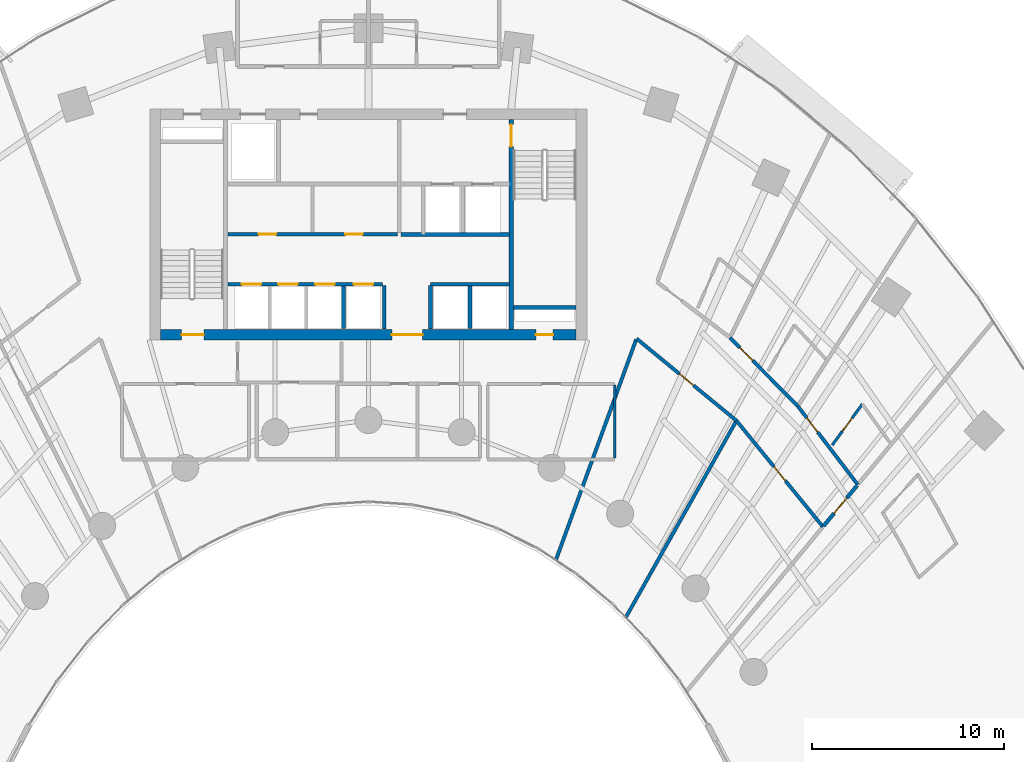
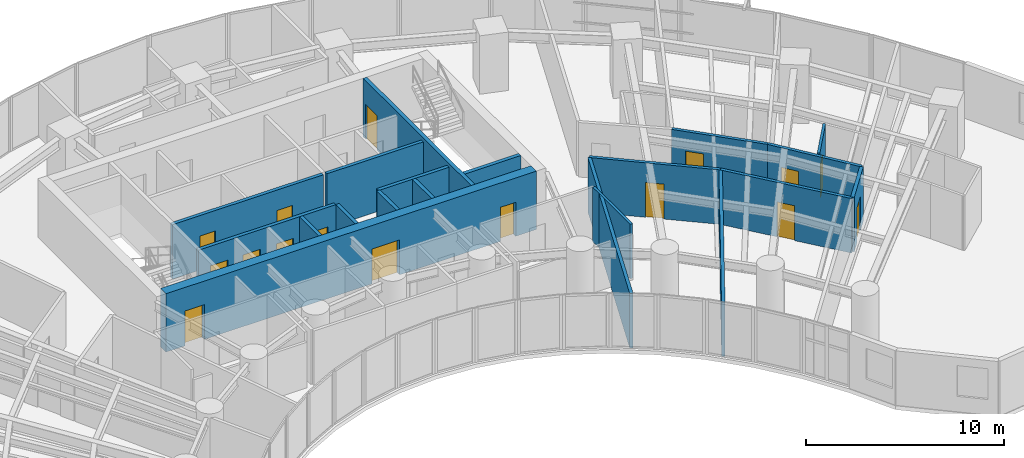
# One storey, part 12 of 17: 20 walls, 16 doors, 16 openings.
"""IFC4 building model written with IfcOpenShell, lengths in metres."""

from ifc_helpers import new_model, si_unit, direction, frame, frame_2d, origin, place, context, subcontext, project, spatial, rectangle, extrude, source, transform, mapped, material, layer, layer_set, type_object, type_shapes, element, fill, save


model = new_model("IFC4")

# Units and contexts
model_context = context("Model", 3, precision=1e-05, world=origin(), true_north=direction((0.0, 1.0)))
body_context = subcontext(model_context, "Body", "Model", "MODEL_VIEW")
ifc_project = project(units=[si_unit("LENGTHUNIT", "METRE"), si_unit("AREAUNIT", "SQUARE_METRE"), si_unit("VOLUMEUNIT", "CUBIC_METRE"), si_unit("PLANEANGLEUNIT", "RADIAN"), si_unit("MASSUNIT", "GRAM", prefix="KILO")], contexts=[model_context])

# Site, building, storey
site_placement = place(None, origin())
site = spatial("IfcSite", under=ifc_project, at=site_placement, CompositionType="ELEMENT")
building_placement = place(site_placement, origin())
building = spatial("IfcBuilding", under=site, at=building_placement, Name="Breltana Convention Tower", CompositionType="ELEMENT")
storey_placement = place(building_placement, frame((0.0, 0.0, 60.60009765625)))
storey = spatial("IfcBuildingStorey", under=building, at=storey_placement, Name="L13", CompositionType="ELEMENT", Elevation=60.60009765625)

# Wall, openings, doors
ifc_material_1 = material(Name="Concrete C60/75", Category="concrete")
ifc_layer_1 = layer(ifc_material_1, 0.550048828125, Name="Concrete C60/75")
ifc_layer_set_1 = layer_set([ifc_layer_1], Name="Concrete C60/75")
wall_type_1 = type_object("IfcWallType", Name="SW-CORE-550", PredefinedType="SHEAR", material=ifc_layer_set_1)
shared_shape_1 = source(origin(), body_context, "Body", "SweptSolid", [
    extrude(rectangle(XDim=21.60009765625, YDim=0.550048828125, at=frame_2d((10.800048828125, 0.0))), origin(), (0.0, 0.0, 1.0), 3.599853515625),
])
wall_1_placement = place(storey_placement, frame((37.199951171875, 60.47509765625, 0.0), z_axis=(0.0, 0.0, 1.0), x_axis=(1.0, 0.0, 0.0)))
wall_1 = element("IfcWall", 1, at=wall_1_placement, inside=storey, type_object=wall_type_1, Name="L13 South Core Shear Wall", PredefinedType="SHEAR", context=body_context, shape_type="MappedRepresentation", body=[
    mapped(shared_shape_1, transform((0.0, 0.0, 0.0), scale=1.0)),
])
opening_1_placement = place(wall_1_placement, frame((1.10009765625, 0.0, 0.0)))
opening_1 = element("IfcOpeningElement", 2, at=opening_1_placement, cuts=wall_1, Name="Opening D-11", PredefinedType="OPENING", context=body_context, shape_type="SweptSolid", body=[
    extrude(rectangle(XDim=1.14990234375, YDim=2.14990234375, at=frame_2d((0.574951171875, 1.074951171875))), frame((0.0, 0.28515625, 0.0), z_axis=(0.0, -1.0, 0.0), x_axis=(1.0, 0.0, 0.0)), (0.0, 0.0, 1.0), 0.570068359375),
])
opening_2_placement = place(wall_1_placement, frame((19.5, 0.0, 0.0)))
opening_2 = element("IfcOpeningElement", 3, at=opening_2_placement, cuts=wall_1, Name="Opening D-18", PredefinedType="OPENING", context=body_context, shape_type="SweptSolid", body=[
    extrude(rectangle(XDim=0.89990234375, YDim=2.10009765625, at=frame_2d((0.449951171875, 1.050048828125))), frame((0.0, 0.28515625, 0.0), z_axis=(0.0, -1.0, 0.0), x_axis=(1.0, 0.0, 0.0)), (0.0, 0.0, 1.0), 0.570068359375),
])
opening_3_placement = place(wall_1_placement, frame((12.02001953125, 0.0, 0.0)))
opening_3 = element("IfcOpeningElement", 4, at=opening_3_placement, cuts=wall_1, Name="Opening D-02", PredefinedType="OPENING", context=body_context, shape_type="SweptSolid", body=[
    extrude(rectangle(XDim=1.60009765625, YDim=2.14990234375, at=frame_2d((0.800048828125, 1.074951171875))), frame((0.0, 0.28515625, 0.0), z_axis=(0.0, -1.0, 0.0), x_axis=(1.0, 0.0, 0.0)), (0.0, 0.0, 1.0), 0.570068359375),
])
ifc_material_2 = material(Name="Steel Stair Exit Door", Category="steel")
door_type_1 = type_object("IfcDoorType", Name="DR-FD120-1150", OperationType="NOTDEFINED", PredefinedType="DOOR", material=ifc_material_2)
shared_shape_2 = source(origin(), body_context, "Body", "SweptSolid", [
    extrude(rectangle(XDim=1.14990234375, YDim=2.14990234375, at=frame_2d((0.574951171875, 1.074951171875))), frame((0.0, 0.02490234375, 0.0), z_axis=(0.0, -1.0, 0.0), x_axis=(1.0, 0.0, 0.0)), (0.0, 0.0, 1.0), 0.050048828125),
])
type_shapes(door_type_1, [shared_shape_2])
door_1_placement = place(opening_1_placement, origin())
door_1 = element("IfcDoor", 5, at=door_1_placement, inside=storey, type_object=door_type_1, Name="L13 interior door D-L13-ST1", OperationType="SINGLE_SWING_LEFT", OverallHeight=2.14990234375, OverallWidth=1.14990234375, PredefinedType="DOOR", context=body_context, shape_type="MappedRepresentation", body=[
    mapped(shared_shape_2, transform((0.0, 0.0, 0.0), scale=1.0)),
])
fill(opening_1, door_1)
ifc_material_3 = material(Name="Steel Riser Fire Door", Category="steel")
door_type_2 = type_object("IfcDoorType", Name="DR-FD60-900", OperationType="NOTDEFINED", PredefinedType="DOOR", material=ifc_material_3)
shared_shape_3 = source(origin(), body_context, "Body", "SweptSolid", [
    extrude(rectangle(XDim=0.89990234375, YDim=2.10009765625, at=frame_2d((0.449951171875, 1.050048828125))), frame((0.0, 0.02490234375, 0.0), z_axis=(0.0, -1.0, 0.0), x_axis=(1.0, 0.0, 0.0)), (0.0, 0.0, 1.0), 0.050048828125),
])
type_shapes(door_type_2, [shared_shape_3])
door_2_placement = place(opening_2_placement, origin())
door_2 = element("IfcDoor", 6, at=door_2_placement, inside=storey, type_object=door_type_2, Name="L13 Core Riser Access Door D-L13-RS2", OperationType="SINGLE_SWING_RIGHT", OverallHeight=2.10009765625, OverallWidth=0.89990234375, PredefinedType="DOOR", context=body_context, shape_type="MappedRepresentation", body=[
    mapped(shared_shape_3, transform((0.0, 0.0, 0.0), scale=1.0)),
])
fill(opening_2, door_2)
ifc_material_4 = material(Name="Steel Glazed Smoke-Control Door", Category="steel")
door_type_3 = type_object("IfcDoorType", Name="DR-DBL-FD90-1600", OperationType="DOUBLE_DOOR_SINGLE_SWING", PredefinedType="DOOR", material=ifc_material_4)
shared_shape_4 = source(origin(), body_context, "Body", "SweptSolid", [
    extrude(rectangle(XDim=1.60009765625, YDim=2.14990234375, at=frame_2d((0.800048828125, 1.074951171875))), frame((0.0, 0.02490234375, 0.0), z_axis=(0.0, -1.0, 0.0), x_axis=(1.0, 0.0, 0.0)), (0.0, 0.0, 1.0), 0.050048828125),
])
type_shapes(door_type_3, [shared_shape_4])
door_3_placement = place(opening_3_placement, origin())
door_3 = element("IfcDoor", 7, at=door_3_placement, inside=storey, type_object=door_type_3, Name="L13 interior door D-L13-LLB-S", OperationType="DOUBLE_DOOR_SINGLE_SWING", OverallHeight=2.14990234375, OverallWidth=1.60009765625, PredefinedType="DOOR", context=body_context, shape_type="MappedRepresentation", body=[
    mapped(shared_shape_4, transform((0.0, 0.0, 0.0), scale=1.0)),
])
fill(opening_3, door_3)

# Wall
ifc_material_5 = material(Name="Concrete C50/60", Category="concrete")
ifc_layer_2 = layer(ifc_material_5, 0.39990234375, Name="Concrete C50/60")
ifc_layer_set_2 = layer_set([ifc_layer_2], Name="Concrete C50/60")
wall_type_2 = type_object("IfcWallType", Name="SW-CORE-400", PredefinedType="SHEAR", material=ifc_layer_set_2)
shared_shape_5 = source(origin(), body_context, "Body", "SweptSolid", [
    extrude(rectangle(XDim=3.27001953125, YDim=0.219970703125, at=frame_2d((1.635009765625, 0.0))), origin(), (0.0, 0.0, 1.0), 3.599853515625),
])
wall_2_placement = place(storey_placement, frame((55.530029296875, 61.889892578125, 0.0), z_axis=(0.0, 0.0, 1.0), x_axis=(1.0, 0.0, 0.0)))
element("IfcWall", 8, at=wall_2_placement, inside=storey, type_object=wall_type_2, Name="L13 ST-2 Stairwell South Bearing Wall", PredefinedType="SHEAR", context=body_context, shape_type="MappedRepresentation", body=[
    mapped(shared_shape_5, transform((0.0, 0.0, 0.0), scale=1.0)),
])

# Wall, opening, door
shared_shape_6 = source(origin(), body_context, "Body", "SweptSolid", [
    extrude(rectangle(XDim=10.89990234375, YDim=0.219970703125, at=frame_2d((5.449951171875, 0.0))), origin(), (0.0, 0.0, 1.0), 3.599853515625),
])
wall_3_placement = place(storey_placement, frame((55.419921875, 60.75, 0.0), z_axis=(0.0, 0.0, 1.0), x_axis=(0.0, 1.0, 0.0)))
wall_3 = element("IfcWall", 9, at=wall_3_placement, inside=storey, type_object=wall_type_2, Name="L13 Core East Stair Spine Wall", PredefinedType="SHEAR", context=body_context, shape_type="MappedRepresentation", body=[
    mapped(shared_shape_6, transform((0.0, 0.0, 0.0), scale=1.0)),
])
opening_4_placement = place(wall_3_placement, frame((9.4951171875, 0.0, 0.0)))
opening_4 = element("IfcOpeningElement", 10, at=opening_4_placement, cuts=wall_3, Name="Opening D-11", PredefinedType="OPENING", context=body_context, shape_type="SweptSolid", body=[
    extrude(rectangle(XDim=1.14990234375, YDim=2.14990234375, at=frame_2d((0.574951171875, 1.074951171875))), frame((0.0, 0.1201171875, 0.0), z_axis=(0.0, -1.0, 0.0), x_axis=(1.0, 0.0, 0.0)), (0.0, 0.0, 1.0), 0.239990234375),
])
door_4_placement = place(opening_4_placement, origin())
door_4 = element("IfcDoor", 11, at=door_4_placement, inside=storey, type_object=door_type_1, Name="L13 interior door D-L13-ST2", OperationType="SINGLE_SWING_LEFT", OverallHeight=2.14990234375, OverallWidth=1.14990234375, PredefinedType="DOOR", context=body_context, shape_type="MappedRepresentation", body=[
    mapped(shared_shape_2, transform((0.0, 0.0, 0.0), scale=1.0)),
])
fill(opening_4, door_4)

# Walls
ifc_material_6 = material(Name="Autoclaved Aerated Concrete Block", Category="concrete")
ifc_layer_3 = layer(ifc_material_6, 0.199951171875, Name="Autoclaved Aerated Concrete Block")
ifc_layer_set_3 = layer_set([ifc_layer_3], Name="Autoclaved Aerated Concrete Block")
wall_type_3 = type_object("IfcWallType", Name="WL-SHAFT-200", PredefinedType="SOLIDWALL", material=ifc_layer_set_3)
shared_shape_7 = source(origin(), body_context, "Body", "SweptSolid", [
    extrude(rectangle(XDim=2.239990234375, YDim=0.199951171875, at=frame_2d((1.1201171875, 0.0))), origin(), (0.0, 0.0, 1.0), 3.35986328125),
])
for number, where, z_axis, x_axis, name in (
    (12, (48.820068359375, 60.780029296875, 0.0), (0.0, 0.0, 1.0), (0.0, 1.0, 0.0), "L13 interior partition W-L13-PORT-W"),
    (13, (51.219970703125, 60.780029296875, 0.0), (0.0, 0.0, 1.0), (0.0, 1.0, 0.0), "L13 interior partition W-L13-PORT-E"),
):
    element("IfcWall", number, at=place(storey_placement, frame(where, z_axis=z_axis, x_axis=x_axis)), inside=storey, type_object=wall_type_3, Name=name, PredefinedType="SOLIDWALL", context=body_context, shape_type="MappedRepresentation", body=[
        mapped(shared_shape_7, transform((0.0, 0.0, 0.0), scale=1.0)),
    ])
shared_shape_8 = source(origin(), body_context, "Body", "SweptSolid", [
    extrude(rectangle(XDim=5.6201171875, YDim=0.199951171875, at=frame_2d((2.81005859375, 0.0))), origin(), (0.0, 0.0, 1.0), 3.35986328125),
])
wall_4_placement = place(storey_placement, frame((49.699951171875, 65.679931640625, 0.0), z_axis=(0.0, 0.0, 1.0), x_axis=(1.0, 0.0, 0.0)))
element("IfcWall", 14, at=wall_4_placement, inside=storey, type_object=wall_type_3, Name="L13 interior partition W-L13-FL-S", PredefinedType="SOLIDWALL", context=body_context, shape_type="MappedRepresentation", body=[
    mapped(shared_shape_8, transform((0.0, 0.0, 0.0), scale=1.0)),
])

# Wall, openings, doors
shared_shape_9 = source(origin(), body_context, "Body", "SweptSolid", [
    extrude(rectangle(XDim=8.800048828125, YDim=0.199951171875, at=frame_2d((4.39990234375, 0.0))), origin(), (0.0, 0.0, 1.0), 3.35986328125),
])
wall_5_placement = place(storey_placement, frame((40.699951171875, 65.699951171875, 0.0), z_axis=(0.0, 0.0, 1.0), x_axis=(1.0, 0.0, 0.0)))
wall_5 = element("IfcWall", 15, at=wall_5_placement, inside=storey, type_object=wall_type_3, Name="L13 interior partition W-L13-SH-M-FRONT", PredefinedType="SOLIDWALL", context=body_context, shape_type="MappedRepresentation", body=[
    mapped(shared_shape_9, transform((0.0, 0.0, 0.0), scale=1.0)),
])
opening_5_placement = place(wall_5_placement, frame((1.60009765625, 0.0, 0.0)))
opening_5 = element("IfcOpeningElement", 16, at=opening_5_placement, cuts=wall_5, Name="Opening D-18", PredefinedType="OPENING", context=body_context, shape_type="SweptSolid", body=[
    extrude(rectangle(XDim=0.89990234375, YDim=2.10009765625, at=frame_2d((0.449951171875, 1.050048828125))), frame((0.0, 0.10986328125, 0.0), z_axis=(0.0, -1.0, 0.0), x_axis=(1.0, 0.0, 0.0)), (0.0, 0.0, 1.0), 0.219970703125),
])
opening_6_placement = place(wall_5_placement, frame((6.10009765625, 0.0, 0.0)))
opening_6 = element("IfcOpeningElement", 17, at=opening_6_placement, cuts=wall_5, Name="Opening D-18", PredefinedType="OPENING", context=body_context, shape_type="SweptSolid", body=[
    extrude(rectangle(XDim=0.89990234375, YDim=2.10009765625, at=frame_2d((0.449951171875, 1.050048828125))), frame((0.0, 0.10986328125, 0.0), z_axis=(0.0, -1.0, 0.0), x_axis=(1.0, 0.0, 0.0)), (0.0, 0.0, 1.0), 0.219970703125),
])
door_5_placement = place(opening_5_placement, origin())
door_5 = element("IfcDoor", 18, at=door_5_placement, inside=storey, type_object=door_type_2, Name="L13 interior door D-L13-LV7-B2A", OperationType="SINGLE_SWING_RIGHT", OverallHeight=2.10009765625, OverallWidth=0.89990234375, PredefinedType="DOOR", context=body_context, shape_type="MappedRepresentation", body=[
    mapped(shared_shape_3, transform((0.0, 0.0, 0.0), scale=1.0)),
])
fill(opening_5, door_5)
door_6_placement = place(opening_6_placement, origin())
door_6 = element("IfcDoor", 19, at=door_6_placement, inside=storey, type_object=door_type_2, Name="L13 interior door D-L13-LV7-B2B", OperationType="SINGLE_SWING_LEFT", OverallHeight=2.10009765625, OverallWidth=0.89990234375, PredefinedType="DOOR", context=body_context, shape_type="MappedRepresentation", body=[
    mapped(shared_shape_3, transform((0.0, 0.0, 0.0), scale=1.0)),
])
fill(opening_6, door_6)

shared_shape_10 = source(origin(), body_context, "Body", "SweptSolid", [
    extrude(rectangle(XDim=8.02001953125, YDim=0.199951171875, at=frame_2d((4.010009765625, 0.0))), origin(), (0.0, 0.0, 1.0), 3.35986328125),
])
wall_6_placement = place(storey_placement, frame((40.699951171875, 63.10009765625, 0.0), z_axis=(0.0, 0.0, 1.0), x_axis=(1.0, 0.0, 0.0)))
wall_6 = element("IfcWall", 20, at=wall_6_placement, inside=storey, type_object=wall_type_3, Name="L13 interior partition W-L13-SH-S-FRONT", PredefinedType="SOLIDWALL", context=body_context, shape_type="MappedRepresentation", body=[
    mapped(shared_shape_10, transform((0.0, 0.0, 0.0), scale=1.0)),
])
opening_7_placement = place(wall_6_placement, frame((0.719970703125, 0.0, 0.0)))
opening_7 = element("IfcOpeningElement", 21, at=opening_7_placement, cuts=wall_6, Name="Opening LD-04", PredefinedType="OPENING", context=body_context, shape_type="SweptSolid", body=[
    extrude(rectangle(XDim=1.0, YDim=2.14990234375, at=frame_2d((0.5, 1.074951171875))), frame((0.0, 0.10986328125, 0.0), z_axis=(0.0, -1.0, 0.0), x_axis=(1.0, 0.0, 0.0)), (0.0, 0.0, 1.0), 0.219970703125),
])
opening_8_placement = place(wall_6_placement, frame((2.6201171875, 0.0, 0.0)))
opening_8 = element("IfcOpeningElement", 22, at=opening_8_placement, cuts=wall_6, Name="Opening LD-04", PredefinedType="OPENING", context=body_context, shape_type="SweptSolid", body=[
    extrude(rectangle(XDim=1.0, YDim=2.14990234375, at=frame_2d((0.5, 1.074951171875))), frame((0.0, 0.10986328125, 0.0), z_axis=(0.0, -1.0, 0.0), x_axis=(1.0, 0.0, 0.0)), (0.0, 0.0, 1.0), 0.219970703125),
])
opening_9_placement = place(wall_6_placement, frame((4.550048828125, 0.0, 0.0)))
opening_9 = element("IfcOpeningElement", 23, at=opening_9_placement, cuts=wall_6, Name="Opening LD-04", PredefinedType="OPENING", context=body_context, shape_type="SweptSolid", body=[
    extrude(rectangle(XDim=1.0, YDim=2.14990234375, at=frame_2d((0.5, 1.074951171875))), frame((0.0, 0.10986328125, 0.0), z_axis=(0.0, -1.0, 0.0), x_axis=(1.0, 0.0, 0.0)), (0.0, 0.0, 1.0), 0.219970703125),
])
opening_10_placement = place(wall_6_placement, frame((6.550048828125, 0.0, 0.0)))
opening_10 = element("IfcOpeningElement", 24, at=opening_10_placement, cuts=wall_6, Name="Opening LD-04", PredefinedType="OPENING", context=body_context, shape_type="SweptSolid", body=[
    extrude(rectangle(XDim=1.0, YDim=2.14990234375, at=frame_2d((0.5, 1.074951171875))), frame((0.0, 0.10986328125, 0.0), z_axis=(0.0, -1.0, 0.0), x_axis=(1.0, 0.0, 0.0)), (0.0, 0.0, 1.0), 0.219970703125),
])
ifc_material_7 = material(Name="Stainless Steel Brushed", Category="steel")
door_type_4 = type_object("IfcDoorType", Name="DR-LD-PAX-1000", OperationType="DOUBLE_DOOR_SLIDING", PredefinedType="DOOR", material=ifc_material_7)
shared_shape_11 = source(origin(), body_context, "Body", "SweptSolid", [
    extrude(rectangle(XDim=1.0, YDim=2.14990234375, at=frame_2d((0.5, 1.074951171875))), frame((0.0, 0.02490234375, 0.0), z_axis=(0.0, -1.0, 0.0), x_axis=(1.0, 0.0, 0.0)), (0.0, 0.0, 1.0), 0.050048828125),
])
type_shapes(door_type_4, [shared_shape_11])
door_7_placement = place(opening_7_placement, origin())
door_7 = element("IfcDoor", 25, at=door_7_placement, inside=storey, type_object=door_type_4, Name="L13 Lift Landing Door D-L13-LD-S1", OperationType="DOUBLE_DOOR_SLIDING", OverallHeight=2.14990234375, OverallWidth=1.0, PredefinedType="DOOR", context=body_context, shape_type="MappedRepresentation", body=[
    mapped(shared_shape_11, transform((0.0, 0.0, 0.0), scale=1.0)),
])
fill(opening_7, door_7)
door_8_placement = place(opening_8_placement, origin())
door_8 = element("IfcDoor", 26, at=door_8_placement, inside=storey, type_object=door_type_4, Name="L13 Lift Landing Door D-L13-LD-S2", OperationType="DOUBLE_DOOR_SLIDING", OverallHeight=2.14990234375, OverallWidth=1.0, PredefinedType="DOOR", context=body_context, shape_type="MappedRepresentation", body=[
    mapped(shared_shape_11, transform((0.0, 0.0, 0.0), scale=1.0)),
])
fill(opening_8, door_8)
door_9_placement = place(opening_9_placement, origin())
door_9 = element("IfcDoor", 27, at=door_9_placement, inside=storey, type_object=door_type_4, Name="L13 Lift Landing Door D-L13-LD-S3", OperationType="DOUBLE_DOOR_SLIDING", OverallHeight=2.14990234375, OverallWidth=1.0, PredefinedType="DOOR", context=body_context, shape_type="MappedRepresentation", body=[
    mapped(shared_shape_11, transform((0.0, 0.0, 0.0), scale=1.0)),
])
fill(opening_9, door_9)
door_10_placement = place(opening_10_placement, origin())
door_10 = element("IfcDoor", 28, at=door_10_placement, inside=storey, type_object=door_type_4, Name="L13 Lift Landing Door D-L13-LD-S4", OperationType="DOUBLE_DOOR_SLIDING", OverallHeight=2.14990234375, OverallWidth=1.0, PredefinedType="DOOR", context=body_context, shape_type="MappedRepresentation", body=[
    mapped(shared_shape_11, transform((0.0, 0.0, 0.0), scale=1.0)),
])
fill(opening_10, door_10)

# Walls
shared_shape_12 = source(origin(), body_context, "Body", "SweptSolid", [
    extrude(rectangle(XDim=4.10009765625, YDim=0.199951171875, at=frame_2d((2.050048828125, 0.0))), origin(), (0.0, 0.0, 1.0), 3.35986328125),
])
wall_7_placement = place(storey_placement, frame((51.219970703125, 63.10009765625, 0.0), z_axis=(0.0, 0.0, 1.0), x_axis=(1.0, 0.0, 0.0)))
element("IfcWall", 29, at=wall_7_placement, inside=storey, type_object=wall_type_3, Name="L13 interior partition W-L13-SH-X-FRONT", PredefinedType="SOLIDWALL", context=body_context, shape_type="MappedRepresentation", body=[
    mapped(shared_shape_12, transform((0.0, 0.0, 0.0), scale=1.0)),
])
shared_shape_13 = source(origin(), body_context, "Body", "SweptSolid", [
    extrude(rectangle(XDim=2.199951171875, YDim=0.199951171875, at=frame_2d((1.10009765625, 0.0))), origin(), (0.0, 0.0, 1.0), 3.35986328125),
])
for number, where, z_axis, x_axis, name in (
    (30, (46.699951171875, 60.800048828125, 0.0), (0.0, 0.0, 1.0), (0.0, 1.0, 0.0), "L13 interior partition W-L13-SH-S-DIV3"),
    (31, (53.280029296875, 60.800048828125, 0.0), (0.0, 0.0, 1.0), (0.0, 1.0, 0.0), "L13 interior partition W-L13-SH-X-DIV"),
):
    element("IfcWall", number, at=place(storey_placement, frame(where, z_axis=z_axis, x_axis=x_axis)), inside=storey, type_object=wall_type_3, Name=name, PredefinedType="SOLIDWALL", context=body_context, shape_type="MappedRepresentation", body=[
        mapped(shared_shape_13, transform((0.0, 0.0, 0.0), scale=1.0)),
    ])
ifc_material_8 = material(Name="Gypsum Acoustic Drywall Partition")
ifc_layer_4 = layer(ifc_material_8, 0.14990234375, Name="Gypsum Acoustic Drywall Partition")
ifc_layer_set_4 = layer_set([ifc_layer_4], Name="Gypsum Acoustic Drywall Partition")
wall_type_4 = type_object("IfcWallType", Name="WL-PART-150", PredefinedType="PARTITIONING", material=ifc_layer_set_4)
shared_shape_14 = source(origin(), body_context, "Body", "SweptSolid", [
    extrude(rectangle(XDim=3.78515625, YDim=0.14990234375, at=frame_2d((1.892578125, 0.0))), origin(), (0.0, 0.0, 1.0), 3.35986328125),
])
wall_8_placement = place(storey_placement, frame((60.800048828125, 54.0673828125, 0.0), z_axis=(0.0, 0.0, 1.0), x_axis=(0.0, 1.0, 0.0)))
element("IfcWall", 32, at=wall_8_placement, inside=storey, type_object=wall_type_4, Name="L13 interior partition W-L13-HMT-E", PredefinedType="PARTITIONING", context=body_context, shape_type="MappedRepresentation", body=[
    mapped(shared_shape_14, transform((0.0, 0.0, 0.0), scale=1.0)),
])

# Wall, opening, door
ifc_material_9 = material(Name="Gypsum Acoustic Hotel Wall")
ifc_layer_5 = layer(ifc_material_9, 0.195068359375, Name="Gypsum Acoustic Hotel Wall")
ifc_layer_set_5 = layer_set([ifc_layer_5], Name="Gypsum Acoustic Hotel Wall")
wall_type_5 = type_object("IfcWallType", Name="WL-HOTEL-200", PredefinedType="PARTITIONING", material=ifc_layer_set_5)
shared_shape_15 = source(origin(), body_context, "Body", "SweptSolid", [
    extrude(rectangle(XDim=2.748291015625, YDim=0.195068359375, at=frame_2d((1.3740234375, 0.0))), origin(), (0.0, 0.0, 1.0), 3.35986328125),
])
wall_9_placement = place(storey_placement, frame((71.64697265625, 50.531005859375, 0.0), z_axis=(0.0, 0.0, 1.0), x_axis=(0.638111168284, 0.769944242729, 0.0)))
wall_9 = element("IfcWall", 33, at=wall_9_placement, inside=storey, type_object=wall_type_5, Name="L13 interior partition W-L13-CS-E-END", PredefinedType="PARTITIONING", context=body_context, shape_type="MappedRepresentation", body=[
    mapped(shared_shape_15, transform((0.0, 0.0, 0.0), scale=1.0)),
])
opening_11_placement = place(wall_9_placement, frame((0.84912109375, 0.0, 0.0)))
opening_11 = element("IfcOpeningElement", 34, at=opening_11_placement, cuts=wall_9, Name="Opening D-13", PredefinedType="OPENING", context=body_context, shape_type="SweptSolid", body=[
    extrude(rectangle(XDim=1.050048828125, YDim=2.14990234375, at=frame_2d((0.52490234375, 1.074951171875))), frame((0.0, 0.107421875, 0.0), z_axis=(0.0, -1.0, 0.0), x_axis=(1.0, 0.0, 0.0)), (0.0, 0.0, 1.0), 0.215087890625),
])
ifc_material_10 = material(Name="Timber Solid-Core Fire Door", Category="wood")
door_type_5 = type_object("IfcDoorType", Name="DR-FD60-1050", OperationType="NOTDEFINED", PredefinedType="DOOR", material=ifc_material_10)
shared_shape_16 = source(origin(), body_context, "Body", "SweptSolid", [
    extrude(rectangle(XDim=1.050048828125, YDim=2.14990234375, at=frame_2d((0.52490234375, 1.074951171875))), frame((0.0, 0.02490234375, 0.0), z_axis=(0.0, -1.0, 0.0), x_axis=(1.0, 0.0, 0.0)), (0.0, 0.0, 1.0), 0.050048828125),
])
type_shapes(door_type_5, [shared_shape_16])
door_11_placement = place(opening_11_placement, origin())
door_11 = element("IfcDoor", 35, at=door_11_placement, inside=storey, type_object=door_type_5, Name="L13 interior door D-L13-CS-E", OperationType="SINGLE_SWING_LEFT", OverallHeight=2.14990234375, OverallWidth=1.050048828125, PredefinedType="DOOR", context=body_context, shape_type="MappedRepresentation", body=[
    mapped(shared_shape_16, transform((0.0, 0.0, 0.0), scale=1.0)),
])
fill(opening_11, door_11)

# Wall
ifc_material_11 = material(Name="Moisture-Resistant Gypsum Chase Wall")
ifc_layer_6 = layer(ifc_material_11, 0.179931640625, Name="Moisture-Resistant Gypsum Chase Wall")
ifc_layer_set_6 = layer_set([ifc_layer_6], Name="Moisture-Resistant Gypsum Chase Wall")
wall_type_6 = type_object("IfcWallType", Name="WL-PLUMB-180", PredefinedType="PLUMBINGWALL", material=ifc_layer_set_6)
shared_shape_17 = source(origin(), body_context, "Body", "SweptSolid", [
    extrude(rectangle(XDim=12.1962890625, YDim=0.179931640625, at=frame_2d((6.09814453125, 0.0))), origin(), (0.0, 0.0, 1.0), 3.35986328125),
])
wall_10_placement = place(storey_placement, frame((57.742431640625, 48.766357421875, 0.0), z_axis=(0.0, 0.0, 1.0), x_axis=(0.342022711534, 0.939691686031, 0.0)))
element("IfcWall", 36, at=wall_10_placement, inside=storey, type_object=wall_type_6, Name="L13 interior partition W-L13-HE04-RA", PredefinedType="PLUMBINGWALL", context=body_context, shape_type="MappedRepresentation", body=[
    mapped(shared_shape_17, transform((0.0, 0.0, 0.0), scale=1.0)),
])

# Wall, opening, door
shared_shape_18 = source(origin(), body_context, "Body", "SweptSolid", [
    extrude(rectangle(XDim=5.012451171875, YDim=0.179931640625, at=frame_2d((2.50634765625, 0.0))), origin(), (0.0, 0.0, 1.0), 3.35986328125),
])
wall_11_placement = place(storey_placement, frame((66.78759765625, 60.32568359375, 0.0), z_axis=(0.0, 0.0, 1.0), x_axis=(0.703664626435, -0.710532260707, 0.0)))
wall_11 = element("IfcWall", 37, at=wall_11_placement, inside=storey, type_object=wall_type_6, Name="L13 interior partition W-L13-HE02-COR", PredefinedType="PLUMBINGWALL", context=body_context, shape_type="MappedRepresentation", body=[
    mapped(shared_shape_18, transform((0.0, 0.0, 0.0), scale=1.0)),
])
opening_12_placement = place(wall_11_placement, frame((0.72802734375, 0.0, 0.0)))
opening_12 = element("IfcOpeningElement", 38, at=opening_12_placement, cuts=wall_11, Name="Opening D-14", PredefinedType="OPENING", context=body_context, shape_type="SweptSolid", body=[
    extrude(rectangle(XDim=0.949951171875, YDim=2.14990234375, at=frame_2d((0.47509765625, 1.074951171875))), frame((0.0, 0.10009765625, 0.0), z_axis=(0.0, -1.0, 0.0), x_axis=(1.0, 0.0, 0.0)), (0.0, 0.0, 1.0), 0.199951171875),
])
door_type_6 = type_object("IfcDoorType", Name="DR-FD60-950", OperationType="NOTDEFINED", PredefinedType="DOOR", material=ifc_material_10)
shared_shape_19 = source(origin(), body_context, "Body", "SweptSolid", [
    extrude(rectangle(XDim=0.949951171875, YDim=2.14990234375, at=frame_2d((0.47509765625, 1.074951171875))), frame((0.0, 0.02490234375, 0.0), z_axis=(0.0, -1.0, 0.0), x_axis=(1.0, 0.0, 0.0)), (0.0, 0.0, 1.0), 0.050048828125),
])
type_shapes(door_type_6, [shared_shape_19])
door_12_placement = place(opening_12_placement, origin())
door_12 = element("IfcDoor", 39, at=door_12_placement, inside=storey, type_object=door_type_6, Name="L13 interior door D-L13-HE02", OperationType="SINGLE_SWING_LEFT", OverallHeight=2.14990234375, OverallWidth=0.949951171875, PredefinedType="DOOR", context=body_context, shape_type="MappedRepresentation", body=[
    mapped(shared_shape_19, transform((0.0, 0.0, 0.0), scale=1.0)),
])
fill(opening_12, door_12)

shared_shape_20 = source(origin(), body_context, "Body", "SweptSolid", [
    extrude(rectangle(XDim=5.134765625, YDim=0.179931640625, at=frame_2d((2.5673828125, 0.0))), origin(), (0.0, 0.0, 1.0), 3.35986328125),
])
wall_12_placement = place(storey_placement, frame((70.314697265625, 56.76416015625, 0.0), z_axis=(0.0, 0.0, 1.0), x_axis=(0.606802199649, -0.794852873494, 0.0)))
wall_12 = element("IfcWall", 40, at=wall_12_placement, inside=storey, type_object=wall_type_6, Name="L13 interior partition W-L13-HE03-COR", PredefinedType="PLUMBINGWALL", context=body_context, shape_type="MappedRepresentation", body=[
    mapped(shared_shape_20, transform((0.0, 0.0, 0.0), scale=1.0)),
])
opening_13_placement = place(wall_12_placement, frame((0.75732421875, 0.0, 0.0)))
opening_13 = element("IfcOpeningElement", 41, at=opening_13_placement, cuts=wall_12, Name="Opening D-14", PredefinedType="OPENING", context=body_context, shape_type="SweptSolid", body=[
    extrude(rectangle(XDim=0.949951171875, YDim=2.14990234375, at=frame_2d((0.47509765625, 1.074951171875))), frame((0.0, 0.10009765625, 0.0), z_axis=(0.0, -1.0, 0.0), x_axis=(1.0, 0.0, 0.0)), (0.0, 0.0, 1.0), 0.199951171875),
])
door_13_placement = place(opening_13_placement, origin())
door_13 = element("IfcDoor", 42, at=door_13_placement, inside=storey, type_object=door_type_6, Name="L13 interior door D-L13-HE03", OperationType="SINGLE_SWING_LEFT", OverallHeight=2.14990234375, OverallWidth=0.949951171875, PredefinedType="DOOR", context=body_context, shape_type="MappedRepresentation", body=[
    mapped(shared_shape_19, transform((0.0, 0.0, 0.0), scale=1.0)),
])
fill(opening_13, door_13)

ifc_material_12 = material(Name="Moisture-Resistant En-Suite Partition")
ifc_layer_7 = layer(ifc_material_12, 0.139892578125, Name="Moisture-Resistant En-Suite Partition")
ifc_layer_set_7 = layer_set([ifc_layer_7], Name="Moisture-Resistant En-Suite Partition")
wall_type_7 = type_object("IfcWallType", Name="WL-WET-150", PredefinedType="PARTITIONING", material=ifc_layer_set_7)
shared_shape_21 = source(origin(), body_context, "Body", "SweptSolid", [
    extrude(rectangle(XDim=2.6416015625, YDim=0.139892578125, at=frame_2d((1.32080078125, 0.0))), origin(), (0.0, 0.0, 1.0), 3.35986328125),
])
wall_13_placement = place(storey_placement, frame((72.101318359375, 54.74072265625, 0.0), z_axis=(0.0, 0.0, 1.0), x_axis=(0.592789122423, 0.805357719487, 0.0)))
wall_13 = element("IfcWall", 43, at=wall_13_placement, inside=storey, type_object=wall_type_7, Name="L13 interior partition W-L13-HE03E-SD", PredefinedType="PARTITIONING", context=body_context, shape_type="MappedRepresentation", body=[
    mapped(shared_shape_21, transform((0.0, 0.0, 0.0), scale=1.0)),
])
opening_14_placement = place(wall_13_placement, frame((0.895751953125, 0.0, 0.0)))
opening_14 = element("IfcOpeningElement", 44, at=opening_14_placement, cuts=wall_13, Name="Opening D-21", PredefinedType="OPENING", context=body_context, shape_type="SweptSolid", body=[
    extrude(rectangle(XDim=0.85009765625, YDim=2.050048828125, at=frame_2d((0.425048828125, 1.02490234375))), frame((0.0, 0.080078125, 0.0), z_axis=(0.0, -1.0, 0.0), x_axis=(1.0, 0.0, 0.0)), (0.0, 0.0, 1.0), 0.159912109375),
])
ifc_material_13 = material(Name="Timber Moisture-Resistant En-Suite Door", Category="wood")
door_type_7 = type_object("IfcDoorType", Name="DR-WET-850", OperationType="NOTDEFINED", PredefinedType="DOOR", material=ifc_material_13)
shared_shape_22 = source(origin(), body_context, "Body", "SweptSolid", [
    extrude(rectangle(XDim=0.85009765625, YDim=2.050048828125, at=frame_2d((0.425048828125, 1.02490234375))), frame((0.0, 0.02490234375, 0.0), z_axis=(0.0, -1.0, 0.0), x_axis=(1.0, 0.0, 0.0)), (0.0, 0.0, 1.0), 0.050048828125),
])
type_shapes(door_type_7, [shared_shape_22])
door_14_placement = place(opening_14_placement, origin())
door_14 = element("IfcDoor", 45, at=door_14_placement, inside=storey, type_object=door_type_7, Name="L13 interior door D-L13-HE03E", OperationType="SINGLE_SWING_RIGHT", OverallHeight=2.050048828125, OverallWidth=0.85009765625, PredefinedType="DOOR", context=body_context, shape_type="MappedRepresentation", body=[
    mapped(shared_shape_22, transform((0.0, 0.0, 0.0), scale=1.0)),
])
fill(opening_14, door_14)

shared_shape_23 = source(origin(), body_context, "Body", "SweptSolid", [
    extrude(rectangle(XDim=6.72119140625, YDim=0.179931640625, at=frame_2d((3.360595703125, 0.0))), origin(), (0.0, 0.0, 1.0), 3.35986328125),
])
wall_14_placement = place(storey_placement, frame((61.931396484375, 60.275390625, 0.0), z_axis=(0.0, 0.0, 1.0), x_axis=(0.772828051199, -0.63461547671, 0.0)))
wall_14 = element("IfcWall", 46, at=wall_14_placement, inside=storey, type_object=wall_type_6, Name="L13 interior partition W-L13-HE04-COR", PredefinedType="PLUMBINGWALL", context=body_context, shape_type="MappedRepresentation", body=[
    mapped(shared_shape_23, transform((0.0, 0.0, 0.0), scale=1.0)),
])
opening_15_placement = place(wall_14_placement, frame((2.885498046875, 0.0, 0.0)))
opening_15 = element("IfcOpeningElement", 47, at=opening_15_placement, cuts=wall_14, Name="Opening D-14", PredefinedType="OPENING", context=body_context, shape_type="SweptSolid", body=[
    extrude(rectangle(XDim=0.949951171875, YDim=2.14990234375, at=frame_2d((0.47509765625, 1.074951171875))), frame((0.0, 0.10009765625, 0.0), z_axis=(0.0, -1.0, 0.0), x_axis=(1.0, 0.0, 0.0)), (0.0, 0.0, 1.0), 0.199951171875),
])
door_15_placement = place(opening_15_placement, origin())
door_15 = element("IfcDoor", 48, at=door_15_placement, inside=storey, type_object=door_type_6, Name="L13 interior door D-L13-HE04", OperationType="SINGLE_SWING_LEFT", OverallHeight=2.14990234375, OverallWidth=0.949951171875, PredefinedType="DOOR", context=body_context, shape_type="MappedRepresentation", body=[
    mapped(shared_shape_19, transform((0.0, 0.0, 0.0), scale=1.0)),
])
fill(opening_15, door_15)

# Wall
shared_shape_24 = source(origin(), body_context, "Body", "SweptSolid", [
    extrude(rectangle(XDim=11.670166015625, YDim=0.179931640625, at=frame_2d((5.8349609375, 0.0))), origin(), (0.0, 0.0, 1.0), 3.35986328125),
])
wall_15_placement = place(storey_placement, frame((61.38134765625, 45.795166015625, 0.0), z_axis=(0.0, 0.0, 1.0), x_axis=(0.490156946222, 0.871634193954, 0.0)))
element("IfcWall", 49, at=wall_15_placement, inside=storey, type_object=wall_type_6, Name="L13 interior partition W-L13-HE04-RB", PredefinedType="PLUMBINGWALL", context=body_context, shape_type="MappedRepresentation", body=[
    mapped(shared_shape_24, transform((0.0, 0.0, 0.0), scale=1.0)),
])

# Wall, opening, door
shared_shape_25 = source(origin(), body_context, "Body", "SweptSolid", [
    extrude(rectangle(XDim=7.112548828125, YDim=0.179931640625, at=frame_2d((3.55615234375, 0.0))), origin(), (0.0, 0.0, 1.0), 3.35986328125),
])
wall_16_placement = place(storey_placement, frame((67.125732421875, 56.010009765625, 0.0), z_axis=(0.0, 0.0, 1.0), x_axis=(0.63149032532, -0.775383755974, 0.0)))
wall_16 = element("IfcWall", 50, at=wall_16_placement, inside=storey, type_object=wall_type_6, Name="L13 interior partition W-L13-HE05-COR", PredefinedType="PLUMBINGWALL", context=body_context, shape_type="MappedRepresentation", body=[
    mapped(shared_shape_25, transform((0.0, 0.0, 0.0), scale=1.0)),
])
opening_16_placement = place(wall_16_placement, frame((3.081298828125, 0.0, 0.0)))
opening_16 = element("IfcOpeningElement", 51, at=opening_16_placement, cuts=wall_16, Name="Opening D-14", PredefinedType="OPENING", context=body_context, shape_type="SweptSolid", body=[
    extrude(rectangle(XDim=0.949951171875, YDim=2.14990234375, at=frame_2d((0.47509765625, 1.074951171875))), frame((0.0, 0.10009765625, 0.0), z_axis=(0.0, -1.0, 0.0), x_axis=(1.0, 0.0, 0.0)), (0.0, 0.0, 1.0), 0.199951171875),
])
door_16_placement = place(opening_16_placement, origin())
door_16 = element("IfcDoor", 52, at=door_16_placement, inside=storey, type_object=door_type_6, Name="L13 interior door D-L13-HE05", OperationType="SINGLE_SWING_RIGHT", OverallHeight=2.14990234375, OverallWidth=0.949951171875, PredefinedType="DOOR", context=body_context, shape_type="MappedRepresentation", body=[
    mapped(shared_shape_19, transform((0.0, 0.0, 0.0), scale=1.0)),
])
fill(opening_16, door_16)

save(model, "model.ifc")
